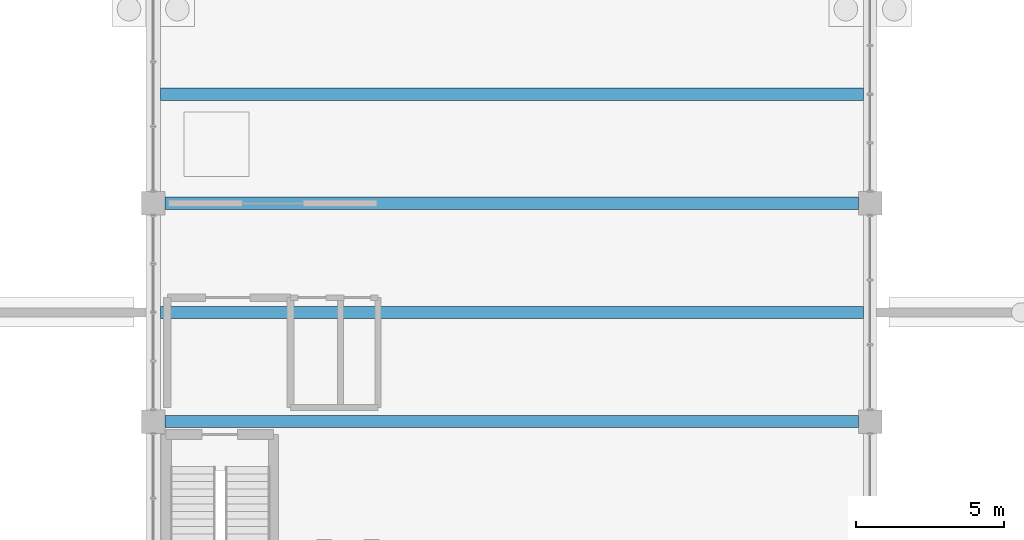
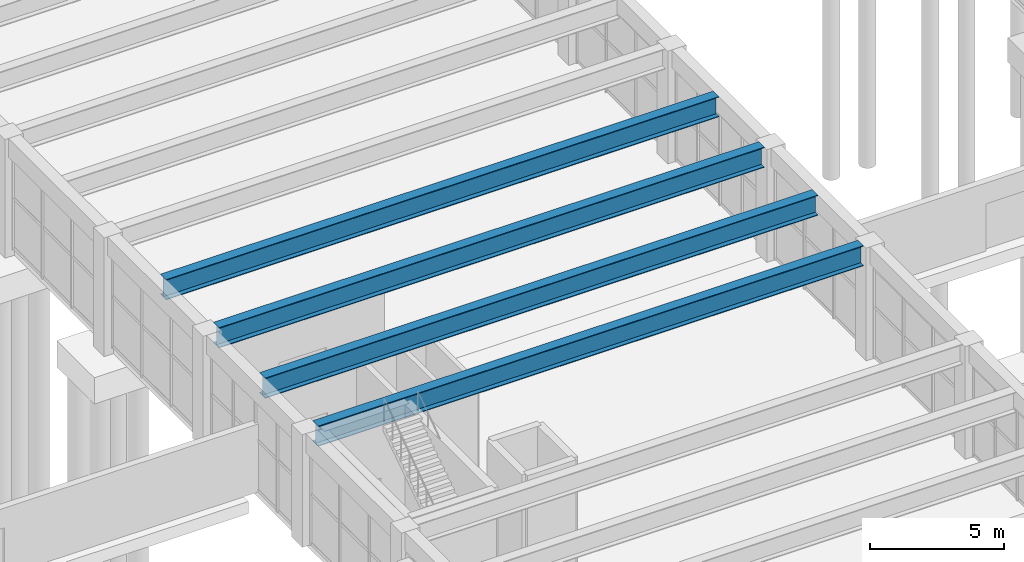
# One storey, part 73 of 140: 4 beams.
"""IFC4 building model written with IfcOpenShell, lengths in metres."""

from ifc_helpers import new_model, si_unit, direction, frame, origin, origin_2d, place, context, subcontext, project, spatial, i_section, extrude, material, material_profile, profile_set, type_object, element, save


model = new_model("IFC4")

# Units and contexts
model_context = context("Model", 3, precision=1e-05, world=origin(), true_north=direction((0.0, 1.0)))
body_context = subcontext(model_context, "Body", "Model", "MODEL_VIEW")
ifc_project = project(units=[si_unit("LENGTHUNIT", "METRE"), si_unit("AREAUNIT", "SQUARE_METRE"), si_unit("VOLUMEUNIT", "CUBIC_METRE"), si_unit("PLANEANGLEUNIT", "RADIAN"), si_unit("MASSUNIT", "GRAM", prefix="KILO")], contexts=[model_context])

# Site, building, storey
site_placement = place(None, origin())
site = spatial("IfcSite", under=ifc_project, at=site_placement, CompositionType="ELEMENT")
building_placement = place(site_placement, origin())
building = spatial("IfcBuilding", under=site, at=building_placement, Name="Cimatlan Art Gallery", CompositionType="ELEMENT")
storey_placement = place(building_placement, origin())
storey = spatial("IfcBuildingStorey", under=building, at=storey_placement, Name="L00", CompositionType="ELEMENT", Elevation=0.0)

# Beams
ifc_material = material(Name="Steel ASTM A992 Grade 50", Category="steel")
ifc_material_profile = material_profile(ifc_material, i_section(OverallWidth=0.41796875, OverallDepth=0.927001953125, WebThickness=0.019287109375, FlangeThickness=0.031982421875, at=origin_2d()), Name="W36X231")
ifc_profile_set = profile_set([ifc_material_profile], Name="Steel ASTM A992 Grade 50")
beam_type = type_object("IfcBeamType", Name="BM-SPAN24-L01", PredefinedType="BEAM", material=ifc_profile_set)
beam_1_placement = place(storey_placement, frame((75.300048828125, 68.300048828125, 4.67138671875), z_axis=(1.0, 0.0, 0.0), x_axis=(0.0, 1.0, 0.0)))
element("IfcBeam", 1, at=beam_1_placement, inside=storey, type_object=beam_type, Name="BM-SP24-L00-09", PredefinedType="BEAM", context=body_context, shape_type="SweptSolid", body=[
    extrude(i_section(OverallWidth=0.41796875, OverallDepth=0.927001953125, WebThickness=0.019287109375, FlangeThickness=0.031982421875, at=origin_2d()), origin(), (0.0, 0.0, 1.0), 23.5),
])
beam_2_placement = place(storey_placement, frame((75.14990234375, 72.0, 4.67138671875), z_axis=(1.0, 0.0, 0.0), x_axis=(0.0, 1.0, 0.0)))
element("IfcBeam", 2, at=beam_2_placement, inside=storey, type_object=beam_type, Name="BM-SP24M-L00-09", PredefinedType="BEAM", context=body_context, shape_type="SweptSolid", body=[
    extrude(i_section(OverallWidth=0.41796875, OverallDepth=0.927001953125, WebThickness=0.019287109375, FlangeThickness=0.031982421875, at=origin_2d()), origin(), (0.0, 0.0, 1.0), 23.8251953125),
])
beam_3_placement = place(storey_placement, frame((75.300048828125, 75.699951171875, 4.67138671875), z_axis=(1.0, 0.0, 0.0), x_axis=(0.0, 1.0, 0.0)))
element("IfcBeam", 3, at=beam_3_placement, inside=storey, type_object=beam_type, Name="BM-SP24-L00-10", PredefinedType="BEAM", context=body_context, shape_type="SweptSolid", body=[
    extrude(i_section(OverallWidth=0.41796875, OverallDepth=0.927001953125, WebThickness=0.019287109375, FlangeThickness=0.031982421875, at=origin_2d()), origin(), (0.0, 0.0, 1.0), 23.5),
])
beam_4_placement = place(storey_placement, frame((75.14990234375, 79.39990234375, 4.67138671875), z_axis=(1.0, 0.0, 0.0), x_axis=(0.0, 1.0, 0.0)))
element("IfcBeam", 4, at=beam_4_placement, inside=storey, type_object=beam_type, Name="BM-SP24M-L00-10", PredefinedType="BEAM", context=body_context, shape_type="SweptSolid", body=[
    extrude(i_section(OverallWidth=0.41796875, OverallDepth=0.927001953125, WebThickness=0.019287109375, FlangeThickness=0.031982421875, at=origin_2d()), origin(), (0.0, 0.0, 1.0), 23.8251953125),
])

save(model, "model.ifc")
